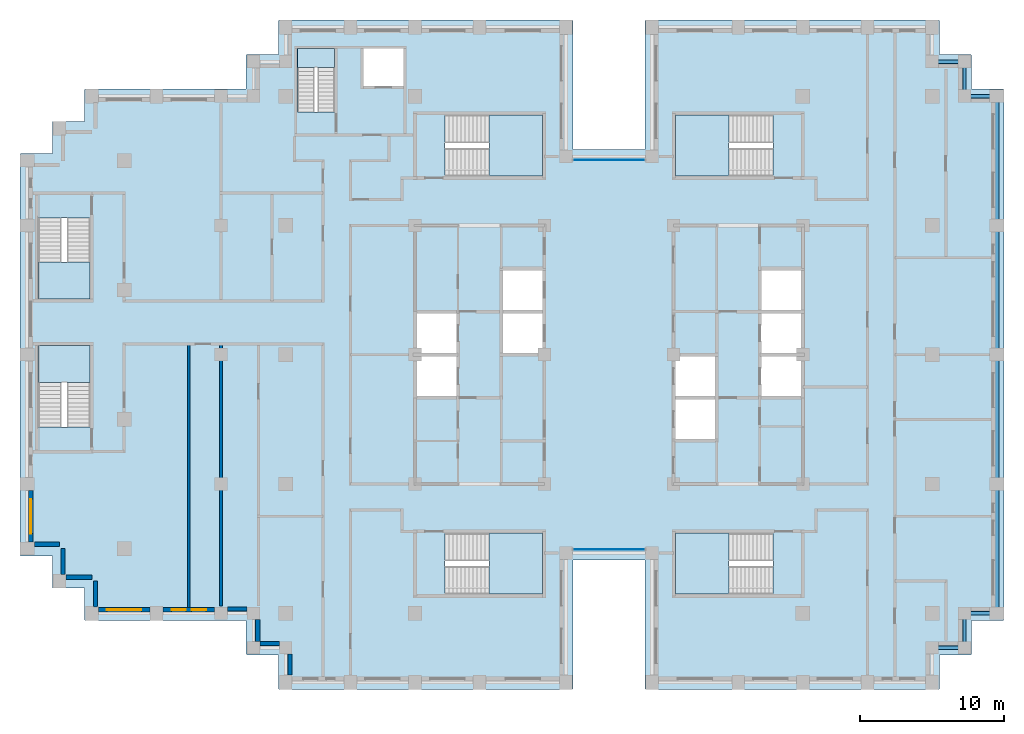
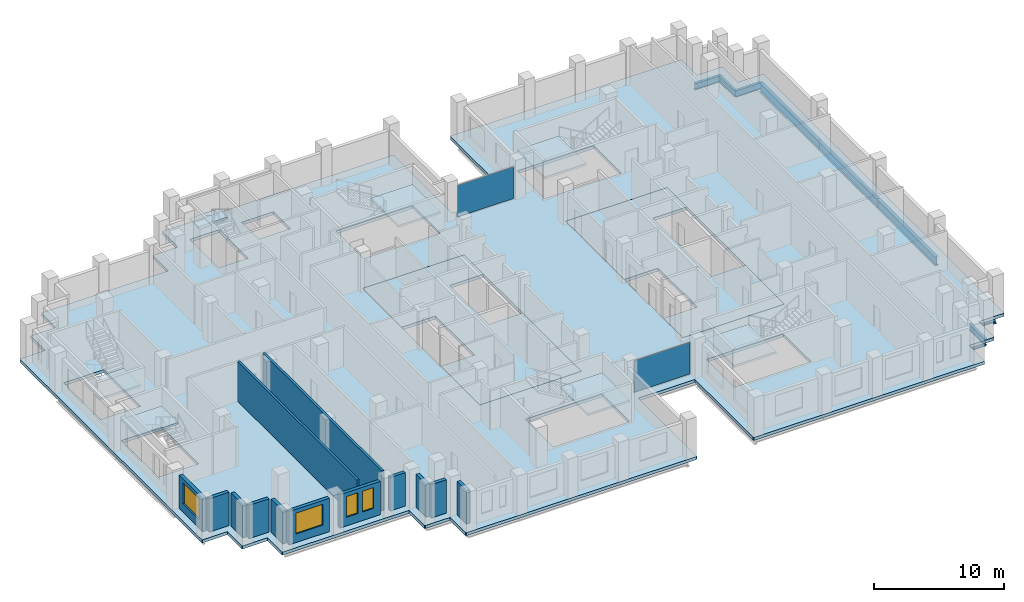
# One storey, part 5 of 15: 13 walls, 10 beams, 10 slabs, 4 windows, 2 plates, 4 openings, 9 elements without a shape of their own.
"""IFC4 building model written with IfcOpenShell, lengths in metres."""

from ifc_helpers import new_model, si_unit, direction, frame, frame_2d, origin, origin_2d, place, context, subcontext, project, spatial, polyline, rectangle, i_section, outline, extrude, material, layer, layer_set, material_profile, profile_set, type_object, element, fill, aggregate, save


model = new_model("IFC4")

# Units and contexts
model_context = context("Model", 3, precision=1e-05, world=origin(), true_north=direction((0.0, 1.0)))
body_context = subcontext(model_context, "Body", "Model", "MODEL_VIEW")
ifc_project = project(units=[si_unit("LENGTHUNIT", "METRE"), si_unit("AREAUNIT", "SQUARE_METRE"), si_unit("VOLUMEUNIT", "CUBIC_METRE"), si_unit("PLANEANGLEUNIT", "RADIAN"), si_unit("MASSUNIT", "GRAM", prefix="KILO")], contexts=[model_context])

# Site, building, storey
site_placement = place(None, origin())
site = spatial("IfcSite", under=ifc_project, at=site_placement, CompositionType="ELEMENT")
building_placement = place(site_placement, origin())
building = spatial("IfcBuilding", under=site, at=building_placement, Name="Corbelhall Arena Tower", CompositionType="ELEMENT")
storey_placement = place(building_placement, frame((0.0, 0.0, 204.0)))
storey = spatial("IfcBuildingStorey", under=building, at=storey_placement, Name="L42", CompositionType="ELEMENT", Elevation=204.0)

# Beams
ifc_material_1 = material(Name="Steel ASTM A992 Gr50", Category="steel")
ifc_material_profile_1 = material_profile(ifc_material_1, i_section(OverallWidth=0.228271484375, OverallDepth=0.607177734375, WebThickness=0.01123046875, FlangeThickness=0.017333984375, at=origin_2d()))
ifc_profile_set_1 = profile_set([ifc_material_profile_1], Name="Steel ASTM A992 Gr50")
beam_type_1 = type_object("IfcBeamType", Name="ST-SPANDREL-W24x76", PredefinedType="SPANDREL", material=ifc_profile_set_1)
for number, where, z_axis, x_axis, name in (
    (1, (27.0, -18.0, -0.58349609375), (-1.0, 0.0, 0.0), (0.0, -1.0, 0.0), "Beam SP 12"),
    (2, (22.5, 20.39990234375, -0.58349609375), (1.0, 0.0, 0.0), (0.0, 1.0, 0.0), "Beam SP 39"),
):
    element("IfcBeam", number, at=place(storey_placement, frame(where, z_axis=z_axis, x_axis=x_axis)), inside=storey, type_object=beam_type_1, Name=name, PredefinedType="SPANDREL", context=body_context, shape_type="SweptSolid", body=[
        extrude(i_section(OverallWidth=0.228271484375, OverallDepth=0.607177734375, WebThickness=0.01123046875, FlangeThickness=0.017333984375, at=origin_2d()), origin(), (0.0, 0.0, 1.0), 2.25),
    ])
beam_1_placement = place(storey_placement, frame((24.75, 20.39990234375, -0.58349609375), z_axis=(0.0, -1.0, 0.0), x_axis=(1.0, 0.0, 0.0)))
element("IfcBeam", 3, at=beam_1_placement, inside=storey, type_object=beam_type_1, Name="Beam SP 40", PredefinedType="SPANDREL", context=body_context, shape_type="SweptSolid", body=[
    extrude(i_section(OverallWidth=0.228271484375, OverallDepth=0.607177734375, WebThickness=0.01123046875, FlangeThickness=0.017333984375, at=origin_2d()), origin(), (0.0, 0.0, 1.0), 2.39990234375),
])
for number, where, z_axis, x_axis, name in (
    (4, (24.75, 18.0, -0.58349609375), (1.0, 0.0, 0.0), (0.0, 1.0, 0.0), "Beam SP 41"),
    (5, (24.75, -20.39990234375, -0.58349609375), (-1.0, 0.0, 0.0), (0.0, -1.0, 0.0), "Beam SP 46"),
):
    element("IfcBeam", number, at=place(storey_placement, frame(where, z_axis=z_axis, x_axis=x_axis)), inside=storey, type_object=beam_type_1, Name=name, PredefinedType="SPANDREL", context=body_context, shape_type="SweptSolid", body=[
        extrude(i_section(OverallWidth=0.228271484375, OverallDepth=0.607177734375, WebThickness=0.01123046875, FlangeThickness=0.017333984375, at=origin_2d()), origin(), (0.0, 0.0, 1.0), 2.25),
    ])
beam_2_placement = place(storey_placement, frame((24.75, -18.0, -0.58349609375), z_axis=(0.0, -1.0, 0.0), x_axis=(1.0, 0.0, 0.0)))
element("IfcBeam", 6, at=beam_2_placement, inside=storey, type_object=beam_type_1, Name="Beam SP 47", PredefinedType="SPANDREL", context=body_context, shape_type="SweptSolid", body=[
    extrude(i_section(OverallWidth=0.228271484375, OverallDepth=0.607177734375, WebThickness=0.01123046875, FlangeThickness=0.017333984375, at=origin_2d()), origin(), (0.0, 0.0, 1.0), 2.39990234375),
])
ifc_material_profile_2 = material_profile(ifc_material_1, i_section(OverallWidth=0.2919921875, OverallDepth=0.845703125, WebThickness=0.015380859375, FlangeThickness=0.0244140625, at=origin_2d()))
ifc_profile_set_2 = profile_set([ifc_material_profile_2], Name="Steel ASTM A992 Gr50")
beam_type_2 = type_object("IfcBeamType", Name="ST-SPANDREL-W33x141", PredefinedType="SPANDREL", material=ifc_profile_set_2)
for number, where, z_axis, x_axis, name in (
    (7, (27.0, 0.0, -0.702880859375), (0.0, -1.0, 0.0), (1.0, 0.0, 0.0), "Beam SP 8"),
    (8, (27.0, 9.0, -0.702880859375), (0.0, -1.0, 0.0), (1.0, 0.0, 0.0), "Beam SP 9"),
    (9, (27.0, 18.0, -0.702880859375), (0.0, -1.0, 0.0), (1.0, 0.0, 0.0), "Beam SP 10"),
    (10, (27.0, -9.0, -0.702880859375), (0.0, -1.0, 0.0), (1.0, 0.0, 0.0), "Beam SP 11"),
):
    element("IfcBeam", number, at=place(storey_placement, frame(where, z_axis=z_axis, x_axis=x_axis)), inside=storey, type_object=beam_type_2, Name=name, PredefinedType="SPANDREL", context=body_context, shape_type="SweptSolid", body=[
        extrude(i_section(OverallWidth=0.2919921875, OverallDepth=0.845703125, WebThickness=0.015380859375, FlangeThickness=0.0244140625, at=origin_2d()), origin(), (0.0, 0.0, 1.0), 9.0),
    ])

# Curtain wall, plate
ifc_material_2 = material(Name="Aluminium black anodised", Category="aluminium")
ifc_layer_1 = layer(ifc_material_2, 0.199951171875)
ifc_layer_set_1 = layer_set([ifc_layer_1], Name="EV-CW1 Slot back wall")
curtain_wall_type = type_object("IfcCurtainWallType", Name="EV-CW1 Slot back wall", PredefinedType="NOTDEFINED", material=ifc_layer_set_1)
curtain_wall_1_placement = place(storey_placement, origin())
curtain_wall_1 = element("IfcCurtainWall", 11, at=curtain_wall_1_placement, inside=storey, type_object=curtain_wall_type, Name="Curtain wall CW1", PredefinedType="NOTDEFINED")
ifc_material_3 = material(Name="Glass dark tinted laminated", Category="glass")
ifc_layer_2 = layer(ifc_material_3, 0.028076171875)
ifc_layer_set_2 = layer_set([ifc_layer_2], Name="EV-CW1-PANEL")
plate_type = type_object("IfcPlateType", Name="EV-CW1-PANEL", PredefinedType="CURTAIN_PANEL", material=ifc_layer_set_2)
plate_1_placement = place(storey_placement, frame((0.0, -13.550048828125, 0.0751953125), z_axis=(0.0, 0.0, 1.0), x_axis=(1.0, 0.0, 0.0)))
plate_1 = element("IfcPlate", 12, at=plate_1_placement, type_object=plate_type, Name="CW1 panel 1.1", PredefinedType="CURTAIN_PANEL", context=body_context, shape_type="SweptSolid", body=[
    extrude(rectangle(XDim=4.949951171875, YDim=0.028076171875, at=origin_2d()), origin(), (0.0, 0.0, 1.0), 2.969970703125),
])
aggregate(curtain_wall_1, [plate_1])

curtain_wall_2_placement = place(storey_placement, origin())
curtain_wall_2 = element("IfcCurtainWall", 13, at=curtain_wall_2_placement, inside=storey, type_object=curtain_wall_type, Name="Curtain wall CW1", PredefinedType="NOTDEFINED")
plate_2_placement = place(storey_placement, frame((0.0, 13.550048828125, 0.0751953125), z_axis=(0.0, 0.0, 1.0), x_axis=(-1.0, 0.0, 0.0)))
plate_2 = element("IfcPlate", 14, at=plate_2_placement, type_object=plate_type, Name="CW1 panel 1.1", PredefinedType="CURTAIN_PANEL", context=body_context, shape_type="SweptSolid", body=[
    extrude(rectangle(XDim=4.949951171875, YDim=0.028076171875, at=origin_2d()), origin(), (0.0, 0.0, 1.0), 2.969970703125),
])
aggregate(curtain_wall_2, [plate_2])

# Slabs
ifc_material_4 = material(Name="Concrete C40/50", Category="concrete")
ifc_layer_3 = layer(ifc_material_4, 0.300048828125)
ifc_layer_set_3 = layer_set([ifc_layer_3], Name="IN-SL-CORE")
slab_type_1 = type_object("IfcSlabType", Name="IN-SL-CORE", PredefinedType="FLOOR", material=ifc_layer_set_3)
slab_1_placement = place(storey_placement, frame((0.0, 0.0, -0.280029296875)))
element("IfcSlab", 15, at=slab_1_placement, inside=storey, type_object=slab_type_1, Name="Core floor W", PredefinedType="FLOOR", context=body_context, shape_type="SweptSolid", body=[
    extrude(outline(polyline([(-10.5, -3.0), (-13.5, -3.0), (-13.5, -9.0), (-4.5, -9.0), (-4.5, 0.0), (-7.5, 0.0), (-7.5, 3.0), (-7.5, 6.0), (-4.5, 6.0), (-4.5, 9.0), (-13.5, 9.0), (-13.5, 3.0), (-10.5, 3.0), (-10.5, 0.0), (-10.5, -3.0)])), origin(), (0.0, 0.0, 1.0), 0.280029296875),
])
slab_2_placement = place(storey_placement, frame((0.0, 0.0, -0.280029296875)))
element("IfcSlab", 16, at=slab_2_placement, inside=storey, type_object=slab_type_1, Name="Core floor E", PredefinedType="FLOOR", context=body_context, shape_type="SweptSolid", body=[
    extrude(outline(polyline([(13.5, -3.0), (10.5, -3.0), (10.5, 0.0), (10.5, 3.0), (10.5, 6.0), (13.5, 6.0), (13.5, 9.0), (4.5, 9.0), (4.5, 0.0), (7.5, 0.0), (7.5, -3.0), (7.5, -6.0), (4.5, -6.0), (4.5, -9.0), (13.5, -9.0), (13.5, -3.0)])), origin(), (0.0, 0.0, 1.0), 0.280029296875),
])

# Stair, slab
stair_type = type_object("IfcStairType", Name="IN-ST-TOWER", PredefinedType="HALF_TURN_STAIR", material=ifc_material_4)
stair_1_placement = place(storey_placement, origin())
stair_1 = element("IfcStair", 17, at=stair_1_placement, inside=storey, type_object=stair_type, Name="L42 Exit stair ST1", PredefinedType="HALF_TURN_STAIR")
ifc_layer_4 = layer(ifc_material_4, 0.199951171875)
ifc_layer_set_4 = layer_set([ifc_layer_4], Name="IN-SL-LANDING")
slab_type_2 = type_object("IfcSlabType", Name="IN-SL-LANDING", PredefinedType="LANDING", material=ifc_layer_set_4)
slab_3_placement = place(storey_placement, frame((0.0, 0.0, 1.800048828125)))
slab_3 = element("IfcSlab", 18, at=slab_3_placement, type_object=slab_type_2, Name="ST1 landing 1", PredefinedType="LANDING", context=body_context, shape_type="SweptSolid", body=[
    extrude(outline(polyline([(-8.344970703125, 12.425048828125), (-4.625, 12.425048828125), (-4.625, 16.675048828125), (-8.344970703125, 16.675048828125), (-8.344970703125, 12.425048828125)])), origin(), (0.0, 0.0, 1.0), 0.199951171875),
])
aggregate(stair_1, [slab_3])

stair_2_placement = place(storey_placement, origin())
stair_2 = element("IfcStair", 19, at=stair_2_placement, inside=storey, type_object=stair_type, Name="L42 Exit stair ST2", PredefinedType="HALF_TURN_STAIR")
slab_4_placement = place(storey_placement, frame((0.0, 0.0, 1.800048828125)))
slab_4 = element("IfcSlab", 20, at=slab_4_placement, type_object=slab_type_2, Name="ST2 landing 1", PredefinedType="LANDING", context=body_context, shape_type="SweptSolid", body=[
    extrude(outline(polyline([(-8.344970703125, -16.675048828125), (-4.625, -16.675048828125), (-4.625, -12.425048828125), (-8.344970703125, -12.425048828125), (-8.344970703125, -16.675048828125)])), origin(), (0.0, 0.0, 1.0), 0.199951171875),
])
aggregate(stair_2, [slab_4])

stair_3_placement = place(storey_placement, origin())
stair_3 = element("IfcStair", 21, at=stair_3_placement, inside=storey, type_object=stair_type, Name="L42 Exit stair ST3", PredefinedType="HALF_TURN_STAIR")
slab_5_placement = place(storey_placement, frame((0.0, 0.0, 1.800048828125)))
slab_5 = element("IfcSlab", 22, at=slab_5_placement, type_object=slab_type_2, Name="ST3 landing 1", PredefinedType="LANDING", context=body_context, shape_type="SweptSolid", body=[
    extrude(outline(polyline([(8.344970703125, 16.675048828125), (4.625, 16.675048828125), (4.625, 12.425048828125), (8.344970703125, 12.425048828125), (8.344970703125, 16.675048828125)])), origin(), (0.0, 0.0, 1.0), 0.199951171875),
])
aggregate(stair_3, [slab_5])

stair_4_placement = place(storey_placement, origin())
stair_4 = element("IfcStair", 23, at=stair_4_placement, inside=storey, type_object=stair_type, Name="L42 Exit stair ST4", PredefinedType="HALF_TURN_STAIR")
slab_6_placement = place(storey_placement, frame((0.0, 0.0, 1.800048828125)))
slab_6 = element("IfcSlab", 24, at=slab_6_placement, type_object=slab_type_2, Name="ST4 landing 1", PredefinedType="LANDING", context=body_context, shape_type="SweptSolid", body=[
    extrude(outline(polyline([(8.344970703125, -12.425048828125), (4.625, -12.425048828125), (4.625, -16.675048828125), (8.344970703125, -16.675048828125), (8.344970703125, -12.425048828125)])), origin(), (0.0, 0.0, 1.0), 0.199951171875),
])
aggregate(stair_4, [slab_6])

stair_5_placement = place(storey_placement, origin())
stair_5 = element("IfcStair", 25, at=stair_5_placement, inside=storey, type_object=stair_type, Name="L42 Exit stair SC1", PredefinedType="HALF_TURN_STAIR")
slab_7_placement = place(storey_placement, frame((0.0, 0.0, 1.800048828125)))
slab_7 = element("IfcSlab", 26, at=slab_7_placement, type_object=slab_type_2, Name="SC1 landing 1", PredefinedType="LANDING", context=body_context, shape_type="SweptSolid", body=[
    extrude(outline(polyline([(-39.699951171875, 6.445068359375), (-39.699951171875, 3.875), (-36.125, 3.875), (-36.125, 6.445068359375), (-39.699951171875, 6.445068359375)])), origin(), (0.0, 0.0, 1.0), 0.199951171875),
])
aggregate(stair_5, [slab_7])

stair_6_placement = place(storey_placement, origin())
stair_6 = element("IfcStair", 27, at=stair_6_placement, inside=storey, type_object=stair_type, Name="L42 Exit stair SC2", PredefinedType="HALF_TURN_STAIR")
slab_8_placement = place(storey_placement, frame((0.0, 0.0, 1.800048828125)))
slab_8 = element("IfcSlab", 28, at=slab_8_placement, type_object=slab_type_2, Name="SC2 landing 1", PredefinedType="LANDING", context=body_context, shape_type="SweptSolid", body=[
    extrude(outline(polyline([(-36.125, -1.945068359375), (-36.125, 0.625), (-39.699951171875, 0.625), (-39.699951171875, -1.945068359375), (-36.125, -1.945068359375)])), origin(), (0.0, 0.0, 1.0), 0.199951171875),
])
aggregate(stair_6, [slab_8])

stair_7_placement = place(storey_placement, origin())
stair_7 = element("IfcStair", 29, at=stair_7_placement, inside=storey, type_object=stair_type, Name="L42 Exit stair ST5", PredefinedType="HALF_TURN_STAIR")
slab_9_placement = place(storey_placement, frame((0.0, 0.0, 1.800048828125)))
slab_9 = element("IfcSlab", 30, at=slab_9_placement, type_object=slab_type_2, Name="ST5 landing 1", PredefinedType="LANDING", context=body_context, shape_type="SweptSolid", body=[
    extrude(outline(polyline([(-19.094970703125, 19.97998046875), (-19.094970703125, 21.300048828125), (-21.695068359375, 21.300048828125), (-21.695068359375, 19.97998046875), (-19.094970703125, 19.97998046875)])), origin(), (0.0, 0.0, 1.0), 0.199951171875),
])
aggregate(stair_7, [slab_9])

# Slab
ifc_layer_5 = layer(ifc_material_4, 0.280029296875)
ifc_layer_set_5 = layer_set([ifc_layer_5], Name="ST-SLAB-FLOOR-280")
slab_type_3 = type_object("IfcSlabType", Name="ST-SLAB-FLOOR-280", PredefinedType="FLOOR", material=ifc_layer_set_5)
slab_10_placement = place(storey_placement, frame((0.0, 0.0, -0.280029296875)))
element("IfcSlab", 31, at=slab_10_placement, inside=storey, type_object=slab_type_3, Name="Floor slab L42 1", PredefinedType="FLOOR", context=body_context, shape_type="SweptSolid", body=[
    extrude(outline(polyline([(23.0, 23.25), (22.949951171875, 23.300048828125), (2.550048828125, 23.300048828125), (2.5, 23.25), (2.5, 14.300048828125), (-2.5, 14.300048828125), (-2.5, 23.25), (-2.550048828125, 23.300048828125), (-22.949951171875, 23.300048828125), (-23.0, 23.25), (-23.0, 20.89990234375), (-25.199951171875, 20.89990234375), (-25.25, 20.85009765625), (-25.25, 18.5), (-36.449951171875, 18.5), (-36.5, 18.449951171875), (-36.5, 16.25), (-38.699951171875, 16.25), (-38.75, 16.199951171875), (-38.75, 14.0), (-40.949951171875, 14.0), (-41.0, 13.949951171875), (-41.0, -13.949951171875), (-40.949951171875, -14.0), (-38.75, -14.0), (-38.75, -16.199951171875), (-38.699951171875, -16.25), (-36.5, -16.25), (-36.5, -18.449951171875), (-36.449951171875, -18.5), (-25.25, -18.5), (-25.25, -20.85009765625), (-25.199951171875, -20.89990234375), (-23.0, -20.89990234375), (-23.0, -23.25), (-22.949951171875, -23.300048828125), (-2.550048828125, -23.300048828125), (-2.5, -23.25), (-2.5, -14.300048828125), (2.5, -14.300048828125), (2.5, -23.25), (2.550048828125, -23.300048828125), (22.949951171875, -23.300048828125), (23.0, -23.25), (23.0, -20.89990234375), (25.199951171875, -20.89990234375), (25.25, -20.85009765625), (25.25, -18.5), (27.449951171875, -18.5), (27.5, -18.449951171875), (27.5, 18.449951171875), (27.449951171875, 18.5), (25.25, 18.5), (25.25, 20.85009765625), (25.199951171875, 20.89990234375), (23.0, 20.89990234375), (23.0, 23.25)]), holes=[polyline([(-4.5, -9.0), (-4.5, 9.0), (-13.5, 9.0), (-13.5, -9.0), (-4.5, -9.0)]), polyline([(13.5, -9.0), (13.5, 9.0), (4.5, 9.0), (4.5, -9.0), (13.5, -9.0)]), polyline([(-11.422119140625, 12.425048828125), (-4.625, 12.425048828125), (-4.625, 16.675048828125), (-11.422119140625, 16.675048828125), (-11.422119140625, 12.425048828125)]), polyline([(-11.422119140625, -12.425048828125), (-11.422119140625, -16.675048828125), (-4.625, -16.675048828125), (-4.625, -12.425048828125), (-11.422119140625, -12.425048828125)]), polyline([(4.625, 12.425048828125), (11.422119140625, 12.425048828125), (11.422119140625, 16.675048828125), (4.625, 16.675048828125), (4.625, 12.425048828125)]), polyline([(4.625, -12.425048828125), (4.625, -16.675048828125), (11.422119140625, -16.675048828125), (11.422119140625, -12.425048828125), (4.625, -12.425048828125)]), polyline([(-39.699951171875, 9.52197265625), (-39.699951171875, 3.875), (-36.125, 3.875), (-36.125, 9.52197265625), (-39.699951171875, 9.52197265625)]), polyline([(-39.699951171875, -5.02197265625), (-36.125, -5.02197265625), (-36.125, 0.625), (-39.699951171875, 0.625), (-39.699951171875, -5.02197265625)]), polyline([(-21.695068359375, 21.300048828125), (-21.695068359375, 16.903076171875), (-19.094970703125, 16.903076171875), (-19.094970703125, 21.300048828125), (-21.695068359375, 21.300048828125)]), polyline([(-14.300048828125, 21.300048828125), (-17.10009765625, 21.300048828125), (-17.10009765625, 18.699951171875), (-14.300048828125, 18.699951171875), (-14.300048828125, 21.300048828125)])]), origin(), (0.0, 0.0, 1.0), 0.280029296875),
])

# Walls
ifc_material_5 = material(Name="Precast concrete C40/50 with granite facing", Category="masonry")
ifc_layer_6 = layer(ifc_material_5, 0.300048828125)
ifc_layer_set_6 = layer_set([ifc_layer_6], Name="EV-IW1 Infill panel 300")
wall_type_1 = type_object("IfcWallType", Name="EV-IW1 Infill panel 300", PredefinedType="SOLIDWALL", material=ifc_layer_set_6)
wall_1_placement = place(storey_placement, frame((-40.0, -13.199951171875, 0.0), z_axis=(0.0, 0.0, 1.0), x_axis=(1.0, 0.0, 0.0)))
element("IfcWall", 32, at=wall_1_placement, inside=storey, type_object=wall_type_1, Name="Infill panel IW1", PredefinedType="SOLIDWALL", context=body_context, shape_type="SweptSolid", body=[
    extrude(rectangle(XDim=1.75, YDim=0.300048828125, at=frame_2d((0.875, 0.0))), origin(), (0.0, 0.0, 1.0), 3.1201171875),
])
for number, where, z_axis, x_axis, name in (
    (33, (-38.0, -15.300048828125, 0.0), (0.0, 0.0, 1.0), (0.0, 1.0, 0.0), "Infill panel IW1"),
    (34, (-37.800048828125, -15.5, 0.0), (0.0, 0.0, 1.0), (1.0, 0.0, 0.0), "Infill panel IW1"),
    (35, (-35.75, -17.550048828125, 0.0), (0.0, 0.0, 1.0), (0.0, 1.0, 0.0), "Infill panel IW1"),
):
    element("IfcWall", number, at=place(storey_placement, frame(where, z_axis=z_axis, x_axis=x_axis)), inside=storey, type_object=wall_type_1, Name=name, PredefinedType="SOLIDWALL", context=body_context, shape_type="SweptSolid", body=[
        extrude(rectangle(XDim=1.800048828125, YDim=0.300048828125, at=frame_2d((0.89990234375, 0.0))), origin(), (0.0, 0.0, 1.0), 3.1201171875),
    ])

# Wall, opening, window
wall_2_placement = place(storey_placement, frame((-40.25, -9.449951171875, 0.0), z_axis=(0.0, 0.0, 1.0), x_axis=(0.0, -1.0, 0.0)))
wall_2 = element("IfcWall", 36, at=wall_2_placement, inside=storey, type_object=wall_type_1, Name="Infill panel IW1", PredefinedType="SOLIDWALL", context=body_context, shape_type="SweptSolid", body=[
    extrude(rectangle(XDim=3.60009765625, YDim=0.300048828125, at=frame_2d((1.800048828125, 0.0))), origin(), (0.0, 0.0, 1.0), 3.1201171875),
])
opening_1_placement = place(wall_2_placement, frame((0.60009765625, 0.0, 0.800048828125)))
opening_1 = element("IfcOpeningElement", 37, at=opening_1_placement, cuts=wall_2, Name="Opening WN1", PredefinedType="OPENING", context=body_context, shape_type="SweptSolid", body=[
    extrude(rectangle(XDim=2.39990234375, YDim=1.949951171875, at=frame_2d((1.199951171875, 0.97509765625))), frame((0.0, 0.14990234375, 0.0), z_axis=(0.0, -1.0, 0.0), x_axis=(1.0, 0.0, 0.0)), (0.0, 0.0, 1.0), 0.300048828125),
])
window_type_1 = type_object("IfcWindowType", Name="EV-WN1 Office window", PartitioningType="SINGLE_PANEL", PredefinedType="WINDOW", material=ifc_material_2)
window_1_placement = place(opening_1_placement, origin())
window_1 = element("IfcWindow", 38, at=window_1_placement, inside=storey, type_object=window_type_1, Name="Window WN1", OverallHeight=1.949951171875, OverallWidth=2.39990234375, PartitioningType="SINGLE_PANEL", PredefinedType="WINDOW", context=body_context, shape_type="SweptSolid", body=[
    extrude(rectangle(XDim=2.39990234375, YDim=1.949951171875, at=frame_2d((1.199951171875, 0.97509765625))), frame((0.0, 0.030029296875, 0.0), z_axis=(0.0, -1.0, 0.0), x_axis=(1.0, 0.0, 0.0)), (0.0, 0.0, 1.0), 0.06005859375),
])
fill(opening_1, window_1)

wall_3_placement = place(storey_placement, frame((-35.550048828125, -17.75, 0.0), z_axis=(0.0, 0.0, 1.0), x_axis=(1.0, 0.0, 0.0)))
wall_3 = element("IfcWall", 39, at=wall_3_placement, inside=storey, type_object=wall_type_1, Name="Infill panel IW1", PredefinedType="SOLIDWALL", context=body_context, shape_type="SweptSolid", body=[
    extrude(rectangle(XDim=3.60009765625, YDim=0.300048828125, at=frame_2d((1.800048828125, 0.0))), origin(), (0.0, 0.0, 1.0), 3.1201171875),
])
opening_2_placement = place(wall_3_placement, frame((0.60009765625, 0.0, 0.800048828125)))
opening_2 = element("IfcOpeningElement", 40, at=opening_2_placement, cuts=wall_3, Name="Opening WN1", PredefinedType="OPENING", context=body_context, shape_type="SweptSolid", body=[
    extrude(rectangle(XDim=2.39990234375, YDim=1.949951171875, at=frame_2d((1.199951171875, 0.97509765625))), frame((0.0, 0.14990234375, 0.0), z_axis=(0.0, -1.0, 0.0), x_axis=(1.0, 0.0, 0.0)), (0.0, 0.0, 1.0), 0.300048828125),
])
window_2_placement = place(opening_2_placement, origin())
window_2 = element("IfcWindow", 41, at=window_2_placement, inside=storey, type_object=window_type_1, Name="Window WN1", OverallHeight=1.949951171875, OverallWidth=2.39990234375, PartitioningType="SINGLE_PANEL", PredefinedType="WINDOW", context=body_context, shape_type="SweptSolid", body=[
    extrude(rectangle(XDim=2.39990234375, YDim=1.949951171875, at=frame_2d((1.199951171875, 0.97509765625))), frame((0.0, 0.030029296875, 0.0), z_axis=(0.0, -1.0, 0.0), x_axis=(1.0, 0.0, 0.0)), (0.0, 0.0, 1.0), 0.06005859375),
])
fill(opening_2, window_2)

# Wall, openings, windows
wall_4_placement = place(storey_placement, frame((-31.050048828125, -17.75, 0.0), z_axis=(0.0, 0.0, 1.0), x_axis=(1.0, 0.0, 0.0)))
wall_4 = element("IfcWall", 42, at=wall_4_placement, inside=storey, type_object=wall_type_1, Name="Infill panel IW1", PredefinedType="SOLIDWALL", context=body_context, shape_type="SweptSolid", body=[
    extrude(rectangle(XDim=3.60009765625, YDim=0.300048828125, at=frame_2d((1.800048828125, 0.0))), origin(), (0.0, 0.0, 1.0), 3.1201171875),
])
opening_3_placement = place(wall_4_placement, frame((0.60009765625, 0.0, 0.800048828125)))
opening_3 = element("IfcOpeningElement", 43, at=opening_3_placement, cuts=wall_4, Name="Opening WN6", PredefinedType="OPENING", context=body_context, shape_type="SweptSolid", body=[
    extrude(rectangle(XDim=1.0, YDim=1.949951171875, at=frame_2d((0.5, 0.97509765625))), frame((0.0, 0.14990234375, 0.0), z_axis=(0.0, -1.0, 0.0), x_axis=(1.0, 0.0, 0.0)), (0.0, 0.0, 1.0), 0.300048828125),
])
opening_4_placement = place(wall_4_placement, frame((2.0, 0.0, 0.800048828125)))
opening_4 = element("IfcOpeningElement", 44, at=opening_4_placement, cuts=wall_4, Name="Opening WN6", PredefinedType="OPENING", context=body_context, shape_type="SweptSolid", body=[
    extrude(rectangle(XDim=1.0, YDim=1.949951171875, at=frame_2d((0.5, 0.97509765625))), frame((0.0, 0.14990234375, 0.0), z_axis=(0.0, -1.0, 0.0), x_axis=(1.0, 0.0, 0.0)), (0.0, 0.0, 1.0), 0.300048828125),
])
window_type_2 = type_object("IfcWindowType", Name="EV-WN6 Office window 1000", PartitioningType="SINGLE_PANEL", PredefinedType="WINDOW", material=ifc_material_2)
window_3_placement = place(opening_3_placement, origin())
window_3 = element("IfcWindow", 45, at=window_3_placement, inside=storey, type_object=window_type_2, Name="Window WN6", OverallHeight=1.949951171875, OverallWidth=1.0, PartitioningType="SINGLE_PANEL", PredefinedType="WINDOW", context=body_context, shape_type="SweptSolid", body=[
    extrude(rectangle(XDim=1.0, YDim=1.949951171875, at=frame_2d((0.5, 0.97509765625))), frame((0.0, 0.030029296875, 0.0), z_axis=(0.0, -1.0, 0.0), x_axis=(1.0, 0.0, 0.0)), (0.0, 0.0, 1.0), 0.06005859375),
])
fill(opening_3, window_3)
window_4_placement = place(opening_4_placement, origin())
window_4 = element("IfcWindow", 46, at=window_4_placement, inside=storey, type_object=window_type_2, Name="Window WN6", OverallHeight=1.949951171875, OverallWidth=1.0, PartitioningType="SINGLE_PANEL", PredefinedType="WINDOW", context=body_context, shape_type="SweptSolid", body=[
    extrude(rectangle(XDim=1.0, YDim=1.949951171875, at=frame_2d((0.5, 0.97509765625))), frame((0.0, 0.030029296875, 0.0), z_axis=(0.0, -1.0, 0.0), x_axis=(1.0, 0.0, 0.0)), (0.0, 0.0, 1.0), 0.06005859375),
])
fill(opening_4, window_4)

# Walls
wall_5_placement = place(storey_placement, frame((-26.550048828125, -17.699951171875, 0.0), z_axis=(0.0, 0.0, 1.0), x_axis=(1.0, 0.0, 0.0)))
element("IfcWall", 47, at=wall_5_placement, inside=storey, type_object=wall_type_1, Name="Infill panel IW1", PredefinedType="SOLIDWALL", context=body_context, shape_type="SweptSolid", body=[
    extrude(rectangle(XDim=1.35009765625, YDim=0.300048828125, at=frame_2d((0.675048828125, 0.0))), origin(), (0.0, 0.0, 1.0), 3.1201171875),
])
wall_6_placement = place(storey_placement, frame((-24.449951171875, -18.449951171875, 0.0), z_axis=(0.0, 0.0, 1.0), x_axis=(0.0, -1.0, 0.0)))
element("IfcWall", 48, at=wall_6_placement, inside=storey, type_object=wall_type_1, Name="Infill panel IW1", PredefinedType="SOLIDWALL", context=body_context, shape_type="SweptSolid", body=[
    extrude(rectangle(XDim=1.5, YDim=0.300048828125, at=frame_2d((0.75, 0.0))), origin(), (0.0, 0.0, 1.0), 3.1201171875),
])
wall_7_placement = place(storey_placement, frame((-24.300048828125, -20.10009765625, 0.0), z_axis=(0.0, 0.0, 1.0), x_axis=(1.0, 0.0, 0.0)))
element("IfcWall", 49, at=wall_7_placement, inside=storey, type_object=wall_type_1, Name="Infill panel IW1", PredefinedType="SOLIDWALL", context=body_context, shape_type="SweptSolid", body=[
    extrude(rectangle(XDim=1.35009765625, YDim=0.300048828125, at=frame_2d((0.675048828125, 0.0))), origin(), (0.0, 0.0, 1.0), 3.1201171875),
])
wall_8_placement = place(storey_placement, frame((-22.199951171875, -20.85009765625, 0.0), z_axis=(0.0, 0.0, 1.0), x_axis=(0.0, -1.0, 0.0)))
element("IfcWall", 50, at=wall_8_placement, inside=storey, type_object=wall_type_1, Name="Infill panel IW1", PredefinedType="SOLIDWALL", context=body_context, shape_type="SweptSolid", body=[
    extrude(rectangle(XDim=1.449951171875, YDim=0.300048828125, at=frame_2d((0.72509765625, 0.0))), origin(), (0.0, 0.0, 1.0), 3.1201171875),
])
ifc_material_6 = material(Name="Gypsum board on steel stud, acoustic", Category="steel")
ifc_layer_7 = layer(ifc_material_6, 0.199951171875)
ifc_layer_set_7 = layer_set([ifc_layer_7], Name="IN-W-DM200")
wall_type_2 = type_object("IfcWallType", Name="IN-W-DM200", PredefinedType="PARTITIONING", material=ifc_layer_set_7)
wall_9_placement = place(storey_placement, frame((-29.25, 0.75, 0.0), z_axis=(0.0, 0.0, 1.0), x_axis=(0.0, -1.0, 0.0)))
element("IfcWall", 51, at=wall_9_placement, inside=storey, type_object=wall_type_2, Name="Partition 006", PredefinedType="PARTITIONING", context=body_context, shape_type="SweptSolid", body=[
    extrude(rectangle(XDim=18.35009765625, YDim=0.199951171875, at=frame_2d((9.175048828125, 0.0))), origin(), (0.0, 0.0, 1.0), 3.719970703125),
])
wall_10_placement = place(storey_placement, frame((-27.0, -17.5, 0.0), z_axis=(0.0, 0.0, 1.0), x_axis=(0.0, 1.0, 0.0)))
element("IfcWall", 52, at=wall_10_placement, inside=storey, type_object=wall_type_2, Name="Partition 009", PredefinedType="PARTITIONING", context=body_context, shape_type="SweptSolid", body=[
    extrude(rectangle(XDim=18.25, YDim=0.199951171875, at=frame_2d((9.125, 0.0))), origin(), (0.0, 0.0, 1.0), 3.719970703125),
])

save(model, "model.ifc")
